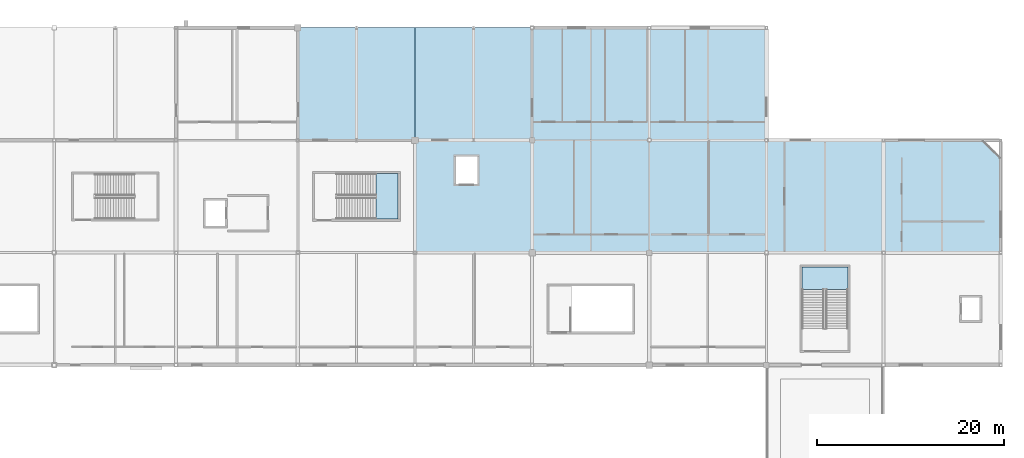
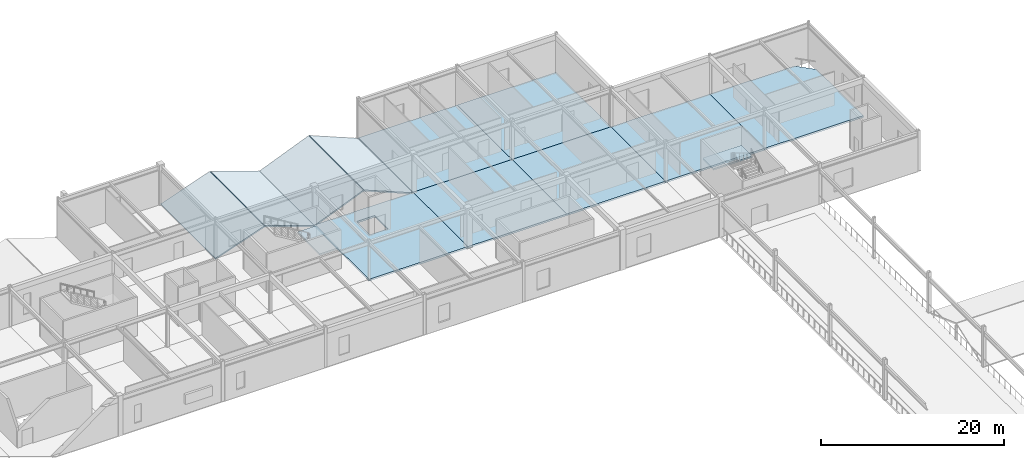
# One storey, part 60 of 105: 13 slabs, 2 elements without a shape of their own.
"""IFC4 building model written with IfcOpenShell, lengths in metres."""

import ifcopenshell
import ifcopenshell.guid

model = None  # the IFC model being written
_history = None  # IfcOwnerHistory: only IFC2X3 demands one
_inside = {}  # id of a spatial element -> (the spatial element, [elements in it])
_under = {}  # id of a project, library or spatial element -> (it, [spatial elements below it])
_declared = {}  # id of a project -> (the project, [libraries it declares])
_typed = {}  # id of a type object -> (the type object, [elements of that type])
_made_of = {}  # id of a material, layer set ... -> (it, [elements and type objects made of it])


def new_model(schema):
    """Start an empty IFC model of exactly this schema.

    Asked for "IFC4X3", IfcOpenShell would pick the latest addendum, in which some entities
    have other attributes; the version numbers below select the first issue.
    IFC2X3 requires an IfcOwnerHistory on every rooted entity: one is made here for all.
    """
    global model, _history
    if schema == "IFC4X3":
        model = ifcopenshell.file(schema_version=(4, 3, 0, 0))
    else:
        model = ifcopenshell.file(schema=schema)
    _inside.clear()
    _under.clear()
    _declared.clear()
    _typed.clear()
    _made_of.clear()
    _history = None
    if model.schema == "IFC2X3":
        org = make("IfcOrganization", Name="unknown")
        user = make(
            "IfcPersonAndOrganization",
            ThePerson=make("IfcPerson", FamilyName="unknown"),
            TheOrganization=org,
        )
        app = make(
            "IfcApplication",
            ApplicationDeveloper=org,
            Version="unknown",
            ApplicationFullName="unknown",
            ApplicationIdentifier="unknown",
        )
        _history = make(
            "IfcOwnerHistory",
            OwningUser=user,
            OwningApplication=app,
            ChangeAction="ADDED",
            CreationDate=0,
        )
    return model


def make(cls, **values):
    """One entity of the class cls with the attributes given. An attribute that is None is left unset."""
    return model.create_entity(
        cls, **{name: value for name, value in values.items() if value is not None}
    )


def rooted(cls, **values):
    """An entity with a GlobalId (a new one), such as an element, a storey or a relation."""
    return make(cls, GlobalId=ifcopenshell.guid.new(), OwnerHistory=_history, **values)


def si_unit(unit_type, name, prefix=None):
    """IfcSIUnit, for example si_unit("LENGTHUNIT", "METRE", prefix="MILLI")."""
    return make("IfcSIUnit", UnitType=unit_type, Prefix=prefix, Name=name)


def assignment(units):
    """IfcUnitAssignment: the units of a project."""
    return None if units is None else make("IfcUnitAssignment", Units=units)


def point(xyz):
    """IfcCartesianPoint."""
    return None if xyz is None else make("IfcCartesianPoint", Coordinates=xyz)


def direction(xyz):
    """IfcDirection."""
    return None if xyz is None else make("IfcDirection", DirectionRatios=xyz)


def frame(location, z_axis=None, x_axis=None):
    """IfcAxis2Placement3D, a coordinate frame: its origin and axes. An axis left out is left unset."""
    return make(
        "IfcAxis2Placement3D",
        Location=point(location),
        Axis=direction(z_axis),
        RefDirection=direction(x_axis),
    )


def origin():
    """The frame at (0, 0, 0) with its axes left unset."""
    return frame((0.0, 0.0, 0.0))


def place(relative_to, where):
    """IfcLocalPlacement: puts the frame where relative to a parent placement (None: the world)."""
    return make(
        "IfcLocalPlacement", PlacementRelTo=relative_to, RelativePlacement=where
    )


def context(
    kind, dimensions, precision=None, world=None, true_north=None, identifier=None
):
    """IfcGeometricRepresentationContext, for example the 3D "Model" context."""
    return make(
        "IfcGeometricRepresentationContext",
        ContextIdentifier=identifier,
        ContextType=kind,
        CoordinateSpaceDimension=dimensions,
        Precision=precision,
        WorldCoordinateSystem=world,
        TrueNorth=true_north,
    )


def subcontext(parent, identifier, kind, view, scale=None):
    """IfcGeometricRepresentationSubContext, for example "Body" below "Model"."""
    return make(
        "IfcGeometricRepresentationSubContext",
        ContextIdentifier=identifier,
        ContextType=kind,
        ParentContext=parent,
        TargetScale=scale,
        TargetView=view,
    )


def project(units=None, contexts=None):
    """IfcProject with its units and contexts."""
    return rooted(
        "IfcProject",
        Name="project",
        RepresentationContexts=contexts,
        UnitsInContext=assignment(units),
    )


def spatial(cls, under=None, at=None, **own):
    """A site, building, storey or space (cls), placed at a placement, below another one or the project."""
    s = rooted(cls, ObjectPlacement=at, **own)
    if under is not None:
        _under.setdefault(under.id(), (under, []))[1].append(s)
    return s


def polyline(points):
    """IfcPolyline through the points."""
    return make("IfcPolyline", Points=[point(p) for p in points])


def outline(outer, holes=None, kind="AREA"):
    """IfcArbitraryClosedProfileDef: a profile drawn as a closed curve; with holes, ...WithVoids."""
    if holes is None:
        return make("IfcArbitraryClosedProfileDef", ProfileType=kind, OuterCurve=outer)
    return make(
        "IfcArbitraryProfileDefWithVoids",
        ProfileType=kind,
        OuterCurve=outer,
        InnerCurves=holes,
    )


def extrude(swept, where, along, depth):
    """IfcExtrudedAreaSolid: the profile swept, set in the frame where, extruded along a direction by depth."""
    return make(
        "IfcExtrudedAreaSolid",
        SweptArea=swept,
        Position=where,
        ExtrudedDirection=direction(along),
        Depth=depth,
    )


def shape(context_of_items, identifier, shape_type, items):
    """IfcShapeRepresentation: the items that make up one representation, for example the "Body"."""
    return make(
        "IfcShapeRepresentation",
        ContextOfItems=context_of_items,
        RepresentationIdentifier=identifier,
        RepresentationType=shape_type,
        Items=items,
    )


def material(Name=None, Category=None):
    """IfcMaterial."""
    return make("IfcMaterial", Name=Name, Category=Category)


def layer(
    of_material, thickness, ventilated=None, Name=None, Category=None, Priority=None
):
    """IfcMaterialLayer: one layer of a wall or slab, of a material (None: an air gap)."""
    return make(
        "IfcMaterialLayer",
        Material=of_material,
        LayerThickness=thickness,
        IsVentilated=ventilated,
        Name=Name,
        Category=Category,
        Priority=Priority,
    )


def layer_set(layers, Name=None):
    """IfcMaterialLayerSet."""
    return make("IfcMaterialLayerSet", MaterialLayers=layers, LayerSetName=Name)


def made_of(thing, what):
    """Note that an element or type object is made of a material, layer set ...; save() writes the relation."""
    if what is not None:
        _made_of.setdefault(what.id(), (what, []))[1].append(thing)
    return thing


def type_object(cls, material=None, **own):
    """A type object (cls), such as IfcWallType, which elements share."""
    return made_of(rooted(cls, **own), material)


def element(
    cls,
    number,
    at=None,
    inside=None,
    cuts=None,
    type_object=None,
    material=None,
    context=None,
    identifier="Body",
    shape_type=None,
    held_by="IfcProductDefinitionShape",
    body=None,
    shapes=None,
    **own,
):
    """One element of the class cls, such as IfcWall. Its Tag is "e" and its number.

    at: its placement. inside: the storey or other place that contains it. cuts: it is an
    opening in that element (IfcRelVoidsElement). A single representation is given by context,
    identifier, shape_type and body (its items); several are given by shapes. held_by: the class
    of the entity that holds the representations. save() writes the other relations.
    """
    e = rooted(cls, Tag="e%d" % number, ObjectPlacement=at, **own)
    if body is not None:
        shapes = [shape(context, identifier, shape_type, body)]
    if shapes is not None:
        e.Representation = make(held_by, Representations=shapes)
    if inside is not None:
        _inside.setdefault(inside.id(), (inside, []))[1].append(e)
    if cuts is not None:
        rooted(
            "IfcRelVoidsElement", RelatingBuildingElement=cuts, RelatedOpeningElement=e
        )
    if type_object is not None:
        _typed.setdefault(type_object.id(), (type_object, []))[1].append(e)
    return made_of(e, material)


def aggregate(whole, parts):
    """IfcRelAggregates: a whole, such as a stair, and the parts it consists of."""
    return rooted("IfcRelAggregates", RelatingObject=whole, RelatedObjects=parts)


def save(model, path):
    """Write the relations noted so far, then the file.

    IfcRelAggregates (storeys below a building ...), IfcRelContainedInSpatialStructure (elements
    in a storey), IfcRelDefinesByType, IfcRelAssociatesMaterial and IfcRelDeclares: one each for
    every whole, place, type object, material and project.
    """
    for whole, parts in _under.values():
        aggregate(whole, parts)
    for where, things in _inside.values():
        rooted(
            "IfcRelContainedInSpatialStructure",
            RelatedElements=things,
            RelatingStructure=where,
        )
    for kind, things in _typed.values():
        rooted("IfcRelDefinesByType", RelatedObjects=things, RelatingType=kind)
    for what, things in _made_of.values():
        rooted("IfcRelAssociatesMaterial", RelatedObjects=things, RelatingMaterial=what)
    for by, libraries in _declared.values():
        rooted("IfcRelDeclares", RelatingContext=by, RelatedDefinitions=libraries)
    model.write(path)


model = new_model("IFC4")

# Units and contexts
model_context = context("Model", 3, precision=1e-05, world=origin(), true_north=direction((0.0, 1.0)))
body_context = subcontext(model_context, "Body", "Model", "MODEL_VIEW")
ifc_project = project(units=[si_unit("LENGTHUNIT", "METRE"), si_unit("AREAUNIT", "SQUARE_METRE"), si_unit("VOLUMEUNIT", "CUBIC_METRE"), si_unit("PLANEANGLEUNIT", "RADIAN"), si_unit("MASSUNIT", "GRAM", prefix="KILO")], contexts=[model_context])

# Site, building, storey
site_placement = place(None, origin())
site = spatial("IfcSite", under=ifc_project, at=site_placement, CompositionType="ELEMENT")
building_placement = place(site_placement, origin())
building = spatial("IfcBuilding", under=site, at=building_placement, Name="Kazenohara Klinker Stadium", CompositionType="ELEMENT")
storey_placement = place(building_placement, frame((0.0, 0.0, 20.39990234375)))
storey = spatial("IfcBuildingStorey", under=building, at=storey_placement, Name="L04", CompositionType="ELEMENT", Elevation=20.39990234375)

# Slabs
ifc_material_1 = material(Name="Concrete C40/50", Category="concrete")
ifc_layer_1 = layer(ifc_material_1, 0.239990234375)
ifc_layer_set_1 = layer_set([ifc_layer_1], Name="Concrete C40/50")
slab_type_1 = type_object("IfcSlabType", Name="SLB-FLR-240", PredefinedType="FLOOR", material=ifc_layer_set_1)
slab_1_placement = place(storey_placement, frame((0.0, 0.0, -0.239990234375)))
element("IfcSlab", 1, at=slab_1_placement, inside=storey, type_object=slab_type_1, Name="Floor slab FS05 L04 12/N", PredefinedType="FLOOR", context=body_context, shape_type="SweptSolid", body=[
    extrude(outline(polyline([(137.5, 144.0), (150.0, 144.0), (150.0, 156.0), (137.5, 156.0), (137.5, 144.0)]), holes=[polyline([(141.85009765625, 151.35009765625), (144.14990234375, 151.35009765625), (144.14990234375, 154.25), (141.85009765625, 154.25), (141.85009765625, 151.35009765625)])]), origin(), (0.0, 0.0, 1.0), 0.239990234375),
])
slab_2_placement = place(storey_placement, frame((0.0, 0.0, -0.239990234375)))
element("IfcSlab", 2, at=slab_2_placement, inside=storey, type_object=slab_type_1, Name="Floor slab FS05 L04 13/N", PredefinedType="FLOOR", context=body_context, shape_type="SweptSolid", body=[
    extrude(outline(polyline([(150.0, 144.0), (162.5, 144.0), (162.5, 156.0), (150.0, 156.0), (150.0, 144.0)])), origin(), (0.0, 0.0, 1.0), 0.239990234375),
])
slab_3_placement = place(storey_placement, frame((0.0, 0.0, -0.239990234375)))
element("IfcSlab", 3, at=slab_3_placement, inside=storey, type_object=slab_type_1, Name="Floor slab FS05 L04 13/P", PredefinedType="FLOOR", context=body_context, shape_type="SweptSolid", body=[
    extrude(outline(polyline([(150.0, 156.0), (162.5, 156.0), (162.5, 168.0), (150.0, 168.0), (150.0, 156.0)])), origin(), (0.0, 0.0, 1.0), 0.239990234375),
])
slab_4_placement = place(storey_placement, frame((0.0, 0.0, -0.239990234375)))
element("IfcSlab", 4, at=slab_4_placement, inside=storey, type_object=slab_type_1, Name="Floor slab FS05 L04 14/N", PredefinedType="FLOOR", context=body_context, shape_type="SweptSolid", body=[
    extrude(outline(polyline([(162.5, 144.0), (175.0, 144.0), (175.0, 156.0), (162.5, 156.0), (162.5, 144.0)])), origin(), (0.0, 0.0, 1.0), 0.239990234375),
])
slab_5_placement = place(storey_placement, frame((0.0, 0.0, -0.239990234375)))
element("IfcSlab", 5, at=slab_5_placement, inside=storey, type_object=slab_type_1, Name="Floor slab FS05 L04 14/P", PredefinedType="FLOOR", context=body_context, shape_type="SweptSolid", body=[
    extrude(outline(polyline([(162.5, 156.0), (175.0, 156.0), (175.0, 168.0), (162.5, 168.0), (162.5, 156.0)])), origin(), (0.0, 0.0, 1.0), 0.239990234375),
])
slab_6_placement = place(storey_placement, frame((0.0, 0.0, -0.239990234375)))
element("IfcSlab", 6, at=slab_6_placement, inside=storey, type_object=slab_type_1, Name="Floor slab FS05 L04 15/N", PredefinedType="FLOOR", context=body_context, shape_type="SweptSolid", body=[
    extrude(outline(polyline([(175.0, 144.0), (187.5, 144.0), (187.5, 156.0), (175.0, 156.0), (175.0, 144.0)])), origin(), (0.0, 0.0, 1.0), 0.239990234375),
])
slab_7_placement = place(storey_placement, frame((0.0, 0.0, -0.239990234375)))
element("IfcSlab", 7, at=slab_7_placement, inside=storey, type_object=slab_type_1, Name="Floor slab FS05 L04 16/N", PredefinedType="FLOOR", context=body_context, shape_type="SweptSolid", body=[
    extrude(outline(polyline([(187.5, 144.0), (200.0, 144.0), (200.0, 154.199951171875), (198.199951171875, 156.0), (187.5, 156.0), (187.5, 144.0)])), origin(), (0.0, 0.0, 1.0), 0.239990234375),
])

# Stair, slab
stair_type_1 = type_object("IfcStairType", Name="STR-DL-2330", PredefinedType="HALF_TURN_STAIR", material=ifc_material_1)
stair_1_placement = place(storey_placement, origin())
stair_1 = element("IfcStair", 8, at=stair_1_placement, inside=storey, type_object=stair_type_1, Name="L04 Enclosed escape stair ST11", PredefinedType="HALF_TURN_STAIR")
ifc_layer_2 = layer(ifc_material_1, 0.199951171875)
ifc_layer_set_2 = layer_set([ifc_layer_2], Name="Concrete C40/50")
slab_type_2 = type_object("IfcSlabType", Name="SLB-LND-200", PredefinedType="LANDING", material=ifc_layer_set_2)
slab_8_placement = place(storey_placement, frame((0.0, 0.0, 2.5)))
slab_8 = element("IfcSlab", 9, at=slab_8_placement, type_object=slab_type_2, Name="ST11 landing 1", PredefinedType="LANDING", context=body_context, shape_type="SweptSolid", body=[
    extrude(outline(polyline([(133.320068359375, 147.570068359375), (135.7099609375, 147.570068359375), (135.7099609375, 152.429931640625), (133.320068359375, 152.429931640625), (133.320068359375, 147.570068359375)])), origin(), (0.0, 0.0, 1.0), 0.2001953125),
])
aggregate(stair_1, [slab_8])

stair_type_2 = type_object("IfcStairType", Name="STR-DL-2340", PredefinedType="HALF_TURN_STAIR", material=ifc_material_1)
stair_2_placement = place(storey_placement, origin())
stair_2 = element("IfcStair", 10, at=stair_2_placement, inside=storey, type_object=stair_type_2, Name="L04 Enclosed escape stair ST12", PredefinedType="HALF_TURN_STAIR")
slab_9_placement = place(storey_placement, frame((0.0, 0.0, 2.5)))
slab_9 = element("IfcSlab", 11, at=slab_9_placement, type_object=slab_type_2, Name="ST12 landing 1", PredefinedType="LANDING", context=body_context, shape_type="SweptSolid", body=[
    extrude(outline(polyline([(183.68994140625, 140.080078125), (183.68994140625, 142.4599609375), (178.81005859375, 142.4599609375), (178.81005859375, 140.080078125), (183.68994140625, 140.080078125)])), origin(), (0.0, 0.0, 1.0), 0.2001953125),
])
aggregate(stair_2, [slab_9])

# Slabs
ifc_material_2 = material(Name="Steel S355", Category="steel")
ifc_layer_3 = layer(ifc_material_2, 0.169921875)
ifc_layer_set_3 = layer_set([ifc_layer_3], Name="Steel S355")
slab_type_3 = type_object("IfcSlabType", Name="SLB-ROOF-170", PredefinedType="ROOF", material=ifc_layer_set_3)
for number, where, z_axis, x_axis, name in (
    (12, (125.0, 156.0, -0.079833984375), (-0.327622925614, 0.0, 0.944808561886), (0.944808561886, 0.0, 0.327622925614), "Sloped snow-shedding wing roof RS02 L04 11/P A"),
    (13, (131.300048828125, 156.0, 2.070068359375), (0.327622925614, 0.0, 0.944808561886), (0.944808561886, 0.0, -0.327622925614), "Sloped snow-shedding wing roof RS02 L04 11/P B"),
):
    element("IfcSlab", number, at=place(storey_placement, frame(where, z_axis=z_axis, x_axis=x_axis)), inside=storey, type_object=slab_type_3, Name=name, PredefinedType="ROOF", context=body_context, shape_type="SweptSolid", body=[
        extrude(outline(polyline([(0.0, 0.0), (6.5621242461032345, 0.0), (6.5621242461032345, 12.0), (0.0, 12.0), (0.0, 0.0)])), origin(), (0.0, 0.0, -1.0), 0.169921875),
    ])
for number, where, z_axis, x_axis, name in (
    (14, (137.5, 156.0, -0.079833984375), (-0.380383442935, 0.0, 0.924828868678), (0.924828868678, 0.0, 0.380383442935), "Sloped snow-shedding wing roof RS02 L04 12/P A"),
    (15, (143.800048828125, 156.0, 2.47021484375), (0.380383442935, 0.0, 0.924828868678), (0.924828868678, 0.0, -0.380383442935), "Sloped snow-shedding wing roof RS02 L04 12/P B"),
):
    element("IfcSlab", number, at=place(storey_placement, frame(where, z_axis=z_axis, x_axis=x_axis)), inside=storey, type_object=slab_type_3, Name=name, PredefinedType="ROOF", context=body_context, shape_type="SweptSolid", body=[
        extrude(outline(polyline([(0.0, 0.0), (6.703890181040846, 0.0), (6.703890181040846, 12.0), (0.0, 12.0), (0.0, 0.0)])), origin(), (0.0, 0.0, -1.0), 0.169921875),
    ])

save(model, "model.ifc")
